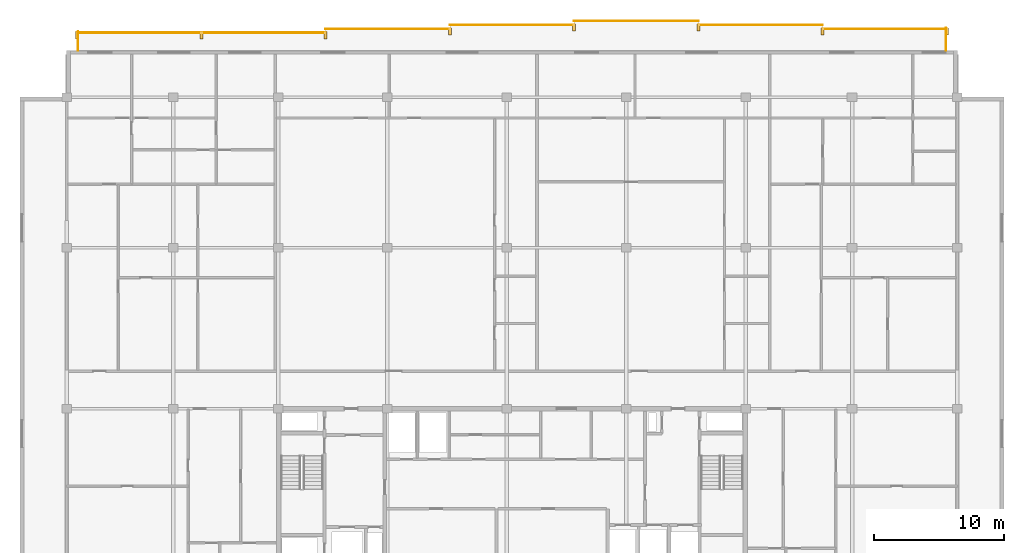
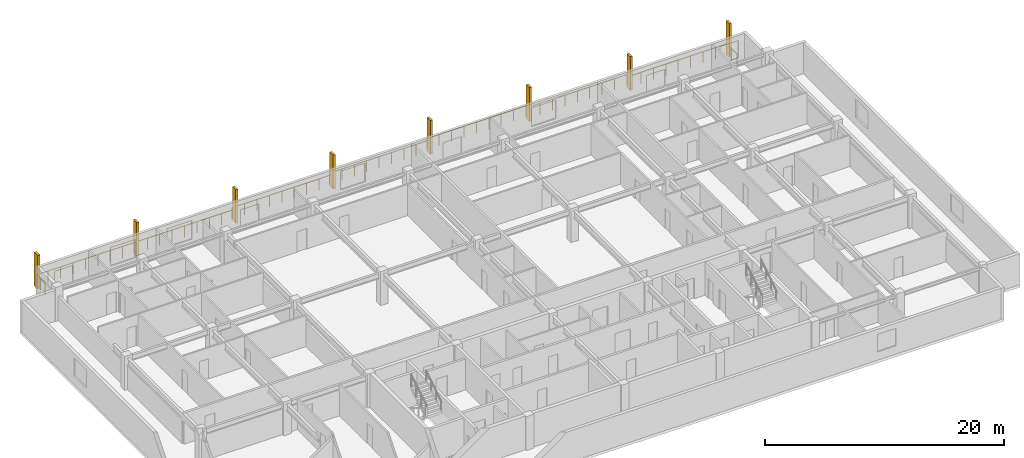
# One storey, part 10 of 10: 8 railings, 8 shading devices.
"""IFC4 building model written with IfcOpenShell, lengths in metres."""

from ifc_helpers import new_model, si_unit, direction, frame, origin, origin_2d, place, context, subcontext, project, spatial, rectangle, circle, extrude, material, type_object, element, save


model = new_model("IFC4")

# Units and contexts
model_context = context("Model", 3, precision=1e-05, world=origin(), true_north=direction((0.0, 1.0)))
body_context = subcontext(model_context, "Body", "Model", "MODEL_VIEW")
ifc_project = project(units=[si_unit("LENGTHUNIT", "METRE"), si_unit("AREAUNIT", "SQUARE_METRE"), si_unit("VOLUMEUNIT", "CUBIC_METRE"), si_unit("PLANEANGLEUNIT", "RADIAN"), si_unit("MASSUNIT", "GRAM", prefix="KILO")], contexts=[model_context])

# Site, building, storey
site_placement = place(None, origin())
site = spatial("IfcSite", under=ifc_project, at=site_placement, CompositionType="ELEMENT")
building_placement = place(site_placement, origin())
building = spatial("IfcBuilding", under=site, at=building_placement, Name="Korimba Cascade Residences", CompositionType="ELEMENT")
storey_placement = place(building_placement, frame((0.0, 0.0, 245.89990234375)))
storey = spatial("IfcBuildingStorey", under=building, at=storey_placement, Name="L71", CompositionType="ELEMENT", Elevation=245.89990234375)

# Railings
ifc_material_1 = material(Name="Laminated Glass and Bronze Balustrade", Category="glass")
railing_type = type_object("IfcRailingType", Name="RLG-LOG-1150", PredefinedType="BALUSTRADE", material=ifc_material_1)
railing_1_placement = place(storey_placement, frame((127.52001953125, 94.800048828125, 0.0)))
element("IfcRailing", 1, at=railing_1_placement, inside=storey, type_object=railing_type, Name="L71 Perimeter Guardrail RLG-L71-T1-LOG-01", PredefinedType="BALUSTRADE", context=body_context, shape_type="SweptSolid", body=[
    extrude(circle(Radius=0.02392578125, at=origin_2d()), frame((0.0, 0.0, 1.1259765625), z_axis=(0.0, 1.0, 0.0), x_axis=(-1.0, 0.0, 0.0)), (0.0, 0.0, 1.0), 1.75),
    extrude(circle(Radius=0.02099609375, at=origin_2d()), origin(), (0.0, 0.0, 1.0), 1.101806640625),
    extrude(circle(Radius=0.02099609375, at=origin_2d()), frame((0.0, 0.875, 0.0)), (0.0, 0.0, 1.0), 1.101806640625),
    extrude(circle(Radius=0.02099609375, at=origin_2d()), frame((0.0, 1.75, 0.0)), (0.0, 0.0, 1.0), 1.101806640625),
])
for number, where, name in (
    (2, (127.60009765625, 96.469970703125, 0.0), "L71 Perimeter Guardrail RLG-L71-T1-LOG-02"),
    (3, (118.028564453125, 96.77001953125, 0.0), "L71 Perimeter Guardrail RLG-L71-T1-LOG-03"),
):
    element("IfcRailing", number, at=place(storey_placement, frame(where)), inside=storey, type_object=railing_type, Name=name, PredefinedType="BALUSTRADE", context=body_context, shape_type="SweptSolid", body=[
        extrude(circle(Radius=0.02392578125, at=origin_2d()), frame((0.0, 0.0, 1.1259765625), z_axis=(-1.0, 0.0, 0.0), x_axis=(0.0, -1.0, 0.0)), (0.0, 0.0, 1.0), 9.571533203125),
        extrude(circle(Radius=0.02099609375, at=origin_2d()), origin(), (0.0, 0.0, 1.0), 1.101806640625),
        extrude(circle(Radius=0.02099609375, at=origin_2d()), frame((-1.196533203125, 0.0, 0.0)), (0.0, 0.0, 1.0), 1.101806640625),
        extrude(circle(Radius=0.02099609375, at=origin_2d()), frame((-2.392822265625, 0.0, 0.0)), (0.0, 0.0, 1.0), 1.101806640625),
        extrude(circle(Radius=0.02099609375, at=origin_2d()), frame((-3.58935546875, 0.0, 0.0)), (0.0, 0.0, 1.0), 1.101806640625),
        extrude(circle(Radius=0.02099609375, at=origin_2d()), frame((-4.78564453125, 0.0, 0.0)), (0.0, 0.0, 1.0), 1.101806640625),
        extrude(circle(Radius=0.02099609375, at=origin_2d()), frame((-5.982177734375, 0.0, 0.0)), (0.0, 0.0, 1.0), 1.101806640625),
        extrude(circle(Radius=0.02099609375, at=origin_2d()), frame((-7.1787109375, 0.0, 0.0)), (0.0, 0.0, 1.0), 1.101806640625),
        extrude(circle(Radius=0.02099609375, at=origin_2d()), frame((-8.375, 0.0, 0.0)), (0.0, 0.0, 1.0), 1.101806640625),
        extrude(circle(Radius=0.02099609375, at=origin_2d()), frame((-9.571533203125, 0.0, 0.0)), (0.0, 0.0, 1.0), 1.101806640625),
    ])
railing_2_placement = place(storey_placement, frame((108.45703125, 97.070068359375, 0.0)))
element("IfcRailing", 4, at=railing_2_placement, inside=storey, type_object=railing_type, Name="L71 Perimeter Guardrail RLG-L71-T1-LOG-04", PredefinedType="BALUSTRADE", context=body_context, shape_type="SweptSolid", body=[
    extrude(circle(Radius=0.02392578125, at=origin_2d()), frame((0.0, 0.0, 1.1259765625), z_axis=(-1.0, 0.0, 0.0), x_axis=(0.0, -1.0, 0.0)), (0.0, 0.0, 1.0), 9.5712890625),
    extrude(circle(Radius=0.02099609375, at=origin_2d()), origin(), (0.0, 0.0, 1.0), 1.101806640625),
    extrude(circle(Radius=0.02099609375, at=origin_2d()), frame((-1.1962890625, 0.0, 0.0)), (0.0, 0.0, 1.0), 1.101806640625),
    extrude(circle(Radius=0.02099609375, at=origin_2d()), frame((-2.392822265625, 0.0, 0.0)), (0.0, 0.0, 1.0), 1.101806640625),
    extrude(circle(Radius=0.02099609375, at=origin_2d()), frame((-3.58935546875, 0.0, 0.0)), (0.0, 0.0, 1.0), 1.101806640625),
    extrude(circle(Radius=0.02099609375, at=origin_2d()), frame((-4.78564453125, 0.0, 0.0)), (0.0, 0.0, 1.0), 1.101806640625),
    extrude(circle(Radius=0.02099609375, at=origin_2d()), frame((-5.98193359375, 0.0, 0.0)), (0.0, 0.0, 1.0), 1.101806640625),
    extrude(circle(Radius=0.02099609375, at=origin_2d()), frame((-7.178466796875, 0.0, 0.0)), (0.0, 0.0, 1.0), 1.101806640625),
    extrude(circle(Radius=0.02099609375, at=origin_2d()), frame((-8.375, 0.0, 0.0)), (0.0, 0.0, 1.0), 1.101806640625),
    extrude(circle(Radius=0.02099609375, at=origin_2d()), frame((-9.5712890625, 0.0, 0.0)), (0.0, 0.0, 1.0), 1.101806640625),
])
railing_3_placement = place(storey_placement, frame((98.8857421875, 96.77001953125, 0.0)))
element("IfcRailing", 5, at=railing_3_placement, inside=storey, type_object=railing_type, Name="L71 Perimeter Guardrail RLG-L71-T1-LOG-05", PredefinedType="BALUSTRADE", context=body_context, shape_type="SweptSolid", body=[
    extrude(circle(Radius=0.02392578125, at=origin_2d()), frame((0.0, 0.0, 1.1259765625), z_axis=(-1.0, 0.0, 0.0), x_axis=(0.0, -1.0, 0.0)), (0.0, 0.0, 1.0), 9.571533203125),
    extrude(circle(Radius=0.02099609375, at=origin_2d()), origin(), (0.0, 0.0, 1.0), 1.101806640625),
    extrude(circle(Radius=0.02099609375, at=origin_2d()), frame((-1.196533203125, 0.0, 0.0)), (0.0, 0.0, 1.0), 1.101806640625),
    extrude(circle(Radius=0.02099609375, at=origin_2d()), frame((-2.392822265625, 0.0, 0.0)), (0.0, 0.0, 1.0), 1.101806640625),
    extrude(circle(Radius=0.02099609375, at=origin_2d()), frame((-3.58935546875, 0.0, 0.0)), (0.0, 0.0, 1.0), 1.101806640625),
    extrude(circle(Radius=0.02099609375, at=origin_2d()), frame((-4.78564453125, 0.0, 0.0)), (0.0, 0.0, 1.0), 1.101806640625),
    extrude(circle(Radius=0.02099609375, at=origin_2d()), frame((-5.982177734375, 0.0, 0.0)), (0.0, 0.0, 1.0), 1.101806640625),
    extrude(circle(Radius=0.02099609375, at=origin_2d()), frame((-7.1787109375, 0.0, 0.0)), (0.0, 0.0, 1.0), 1.101806640625),
    extrude(circle(Radius=0.02099609375, at=origin_2d()), frame((-8.375, 0.0, 0.0)), (0.0, 0.0, 1.0), 1.101806640625),
    extrude(circle(Radius=0.02099609375, at=origin_2d()), frame((-9.571533203125, 0.0, 0.0)), (0.0, 0.0, 1.0), 1.101806640625),
])
railing_4_placement = place(storey_placement, frame((89.314208984375, 96.469970703125, 0.0)))
element("IfcRailing", 6, at=railing_4_placement, inside=storey, type_object=railing_type, Name="L71 Perimeter Guardrail RLG-L71-T1-LOG-06", PredefinedType="BALUSTRADE", context=body_context, shape_type="SweptSolid", body=[
    extrude(circle(Radius=0.02392578125, at=origin_2d()), frame((0.0, 0.0, 1.1259765625), z_axis=(-1.0, 0.0, 0.0), x_axis=(0.0, -1.0, 0.0)), (0.0, 0.0, 1.0), 9.5712890625),
    extrude(circle(Radius=0.02099609375, at=origin_2d()), origin(), (0.0, 0.0, 1.0), 1.101806640625),
    extrude(circle(Radius=0.02099609375, at=origin_2d()), frame((-1.1962890625, 0.0, 0.0)), (0.0, 0.0, 1.0), 1.101806640625),
    extrude(circle(Radius=0.02099609375, at=origin_2d()), frame((-2.392822265625, 0.0, 0.0)), (0.0, 0.0, 1.0), 1.101806640625),
    extrude(circle(Radius=0.02099609375, at=origin_2d()), frame((-3.58935546875, 0.0, 0.0)), (0.0, 0.0, 1.0), 1.101806640625),
    extrude(circle(Radius=0.02099609375, at=origin_2d()), frame((-4.78564453125, 0.0, 0.0)), (0.0, 0.0, 1.0), 1.101806640625),
    extrude(circle(Radius=0.02099609375, at=origin_2d()), frame((-5.98193359375, 0.0, 0.0)), (0.0, 0.0, 1.0), 1.101806640625),
    extrude(circle(Radius=0.02099609375, at=origin_2d()), frame((-7.178466796875, 0.0, 0.0)), (0.0, 0.0, 1.0), 1.101806640625),
    extrude(circle(Radius=0.02099609375, at=origin_2d()), frame((-8.375, 0.0, 0.0)), (0.0, 0.0, 1.0), 1.101806640625),
    extrude(circle(Radius=0.02099609375, at=origin_2d()), frame((-9.5712890625, 0.0, 0.0)), (0.0, 0.0, 1.0), 1.101806640625),
])
railing_5_placement = place(storey_placement, frame((79.742919921875, 96.169921875, 0.0)))
element("IfcRailing", 7, at=railing_5_placement, inside=storey, type_object=railing_type, Name="L71 Perimeter Guardrail RLG-L71-T1-LOG-07", PredefinedType="BALUSTRADE", context=body_context, shape_type="SweptSolid", body=[
    extrude(circle(Radius=0.02392578125, at=origin_2d()), frame((0.0, 0.0, 1.1259765625), z_axis=(-1.0, 0.0, 0.0), x_axis=(0.0, -1.0, 0.0)), (0.0, 0.0, 1.0), 19.142822265625),
    extrude(circle(Radius=0.02099609375, at=origin_2d()), origin(), (0.0, 0.0, 1.0), 1.101806640625),
    extrude(circle(Radius=0.02099609375, at=origin_2d()), frame((-1.196533203125, 0.0, 0.0)), (0.0, 0.0, 1.0), 1.101806640625),
    extrude(circle(Radius=0.02099609375, at=origin_2d()), frame((-2.392822265625, 0.0, 0.0)), (0.0, 0.0, 1.0), 1.101806640625),
    extrude(circle(Radius=0.02099609375, at=origin_2d()), frame((-3.58935546875, 0.0, 0.0)), (0.0, 0.0, 1.0), 1.101806640625),
    extrude(circle(Radius=0.02099609375, at=origin_2d()), frame((-4.78564453125, 0.0, 0.0)), (0.0, 0.0, 1.0), 1.101806640625),
    extrude(circle(Radius=0.02099609375, at=origin_2d()), frame((-5.982177734375, 0.0, 0.0)), (0.0, 0.0, 1.0), 1.101806640625),
    extrude(circle(Radius=0.02099609375, at=origin_2d()), frame((-7.178466796875, 0.0, 0.0)), (0.0, 0.0, 1.0), 1.101806640625),
    extrude(circle(Radius=0.02099609375, at=origin_2d()), frame((-8.375, 0.0, 0.0)), (0.0, 0.0, 1.0), 1.101806640625),
    extrude(circle(Radius=0.02099609375, at=origin_2d()), frame((-9.5712890625, 0.0, 0.0)), (0.0, 0.0, 1.0), 1.101806640625),
    extrude(circle(Radius=0.02099609375, at=origin_2d()), frame((-10.767822265625, 0.0, 0.0)), (0.0, 0.0, 1.0), 1.101806640625),
    extrude(circle(Radius=0.02099609375, at=origin_2d()), frame((-11.96435546875, 0.0, 0.0)), (0.0, 0.0, 1.0), 1.101806640625),
    extrude(circle(Radius=0.02099609375, at=origin_2d()), frame((-13.16064453125, 0.0, 0.0)), (0.0, 0.0, 1.0), 1.101806640625),
    extrude(circle(Radius=0.02099609375, at=origin_2d()), frame((-14.357177734375, 0.0, 0.0)), (0.0, 0.0, 1.0), 1.101806640625),
    extrude(circle(Radius=0.02099609375, at=origin_2d()), frame((-15.553466796875, 0.0, 0.0)), (0.0, 0.0, 1.0), 1.101806640625),
    extrude(circle(Radius=0.02099609375, at=origin_2d()), frame((-16.75, 0.0, 0.0)), (0.0, 0.0, 1.0), 1.101806640625),
    extrude(circle(Radius=0.02099609375, at=origin_2d()), frame((-17.9462890625, 0.0, 0.0)), (0.0, 0.0, 1.0), 1.101806640625),
    extrude(circle(Radius=0.02099609375, at=origin_2d()), frame((-19.142822265625, 0.0, 0.0)), (0.0, 0.0, 1.0), 1.101806640625),
])
railing_6_placement = place(storey_placement, frame((60.679931640625, 96.25, 0.0)))
element("IfcRailing", 8, at=railing_6_placement, inside=storey, type_object=railing_type, Name="L71 Perimeter Guardrail RLG-L71-T1-LOG-08", PredefinedType="BALUSTRADE", context=body_context, shape_type="SweptSolid", body=[
    extrude(circle(Radius=0.02392578125, at=origin_2d()), frame((0.0, 0.0, 1.1259765625), z_axis=(0.0, -1.0, 0.0), x_axis=(1.0, 0.0, 0.0)), (0.0, 0.0, 1.0), 1.449951171875),
    extrude(circle(Radius=0.02099609375, at=origin_2d()), origin(), (0.0, 0.0, 1.0), 1.101806640625),
    extrude(circle(Radius=0.02099609375, at=origin_2d()), frame((0.0, -0.72509765625, 0.0)), (0.0, 0.0, 1.0), 1.101806640625),
    extrude(circle(Radius=0.02099609375, at=origin_2d()), frame((0.0, -1.449951171875, 0.0)), (0.0, 0.0, 1.0), 1.101806640625),
])

# Shading devices
ifc_material_2 = material(Name="Honed Sandstone Precast Fin", Category="masonry")
shading_device_type = type_object("IfcShadingDeviceType", Name="SHD-FIN-550", PredefinedType="USERDEFINED", material=ifc_material_2)
for number, where, z_axis, x_axis, name in (
    (9, (60.60009765625, 95.97509765625, 0.0), (0.0, 0.0, 1.0), (1.0, 0.0, 0.0), "L71 T1 Warm-Stone Loggia Fin 1"),
    (10, (70.17138671875, 95.97509765625, 0.0), (0.0, 0.0, 1.0), (1.0, 0.0, 0.0), "L71 T1 Warm-Stone Loggia Fin 2"),
    (11, (79.742919921875, 95.97509765625, 0.0), (0.0, 0.0, 1.0), (1.0, 0.0, 0.0), "L71 T1 Warm-Stone Loggia Fin 3"),
    (12, (89.314208984375, 96.27490234375, 0.0), (0.0, 0.0, 1.0), (1.0, 0.0, 0.0), "L71 T1 Warm-Stone Loggia Fin 4"),
    (13, (98.8857421875, 96.574951171875, 0.0), (0.0, 0.0, 1.0), (1.0, 0.0, 0.0), "L71 T1 Warm-Stone Loggia Fin 5"),
    (14, (108.45703125, 96.574951171875, 0.0), (0.0, 0.0, 1.0), (1.0, 0.0, 0.0), "L71 T1 Warm-Stone Loggia Fin 6"),
    (15, (118.028564453125, 96.27490234375, 0.0), (0.0, 0.0, 1.0), (1.0, 0.0, 0.0), "L71 T1 Warm-Stone Loggia Fin 7"),
    (16, (127.60009765625, 96.27490234375, 0.0), (0.0, 0.0, 1.0), (1.0, 0.0, 0.0), "L71 T1 Warm-Stone Loggia Fin 8"),
):
    element("IfcShadingDevice", number, at=place(storey_placement, frame(where, z_axis=z_axis, x_axis=x_axis)), inside=storey, type_object=shading_device_type, Name=name, ObjectType="FIN", PredefinedType="USERDEFINED", context=body_context, shape_type="SweptSolid", body=[
        extrude(rectangle(XDim=0.219970703125, YDim=0.550048828125, at=origin_2d()), origin(), (0.0, 0.0, 1.0), 3.449951171875),
    ])

save(model, "model.ifc")
